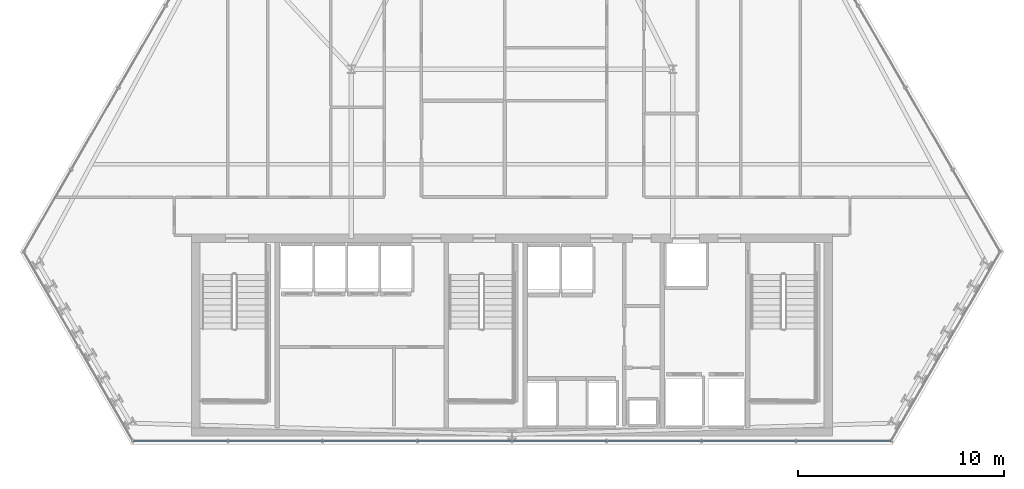
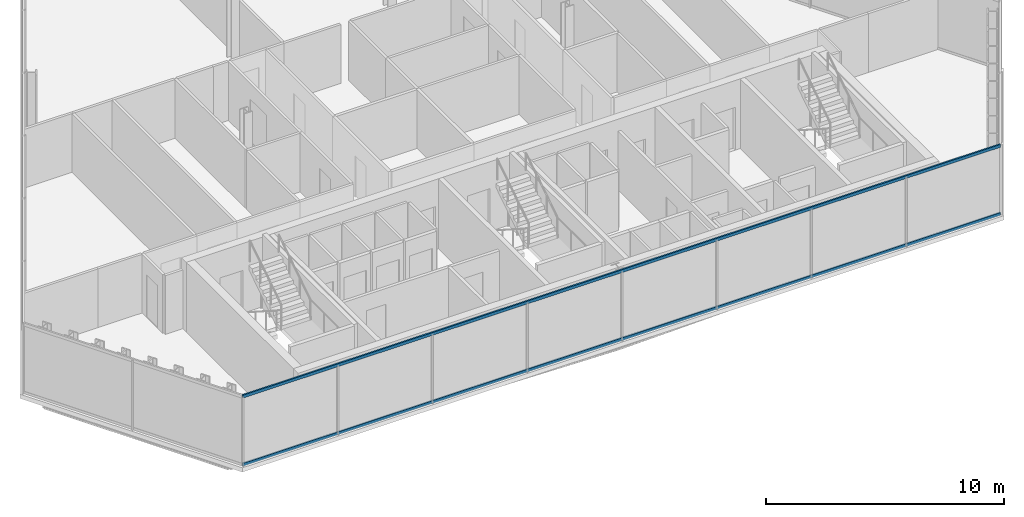
# One storey, part 8 of 33: 2 members, 1 element without a shape of its own.
"""IFC4 building model written with IfcOpenShell, lengths in metres."""

from ifc_helpers import new_model, si_unit, direction, frame, origin, origin_2d, place, context, subcontext, project, spatial, hollow_rectangle, extrude, material, layer, layer_set, material_profile, profile_set, type_object, element, aggregate, save


model = new_model("IFC4")

# Units and contexts
model_context = context("Model", 3, precision=1e-05, world=origin(), true_north=direction((0.0, 1.0)))
body_context = subcontext(model_context, "Body", "Model", "MODEL_VIEW")
ifc_project = project(units=[si_unit("LENGTHUNIT", "METRE"), si_unit("AREAUNIT", "SQUARE_METRE"), si_unit("VOLUMEUNIT", "CUBIC_METRE"), si_unit("PLANEANGLEUNIT", "RADIAN"), si_unit("MASSUNIT", "GRAM", prefix="KILO")], contexts=[model_context])

# Site, building, storey
site_placement = place(None, origin())
site = spatial("IfcSite", under=ifc_project, at=site_placement, CompositionType="ELEMENT")
building_placement = place(site_placement, origin())
building = spatial("IfcBuilding", under=site, at=building_placement, Name="Ndaravel Arena Tower", CompositionType="ELEMENT")
storey_placement = place(building_placement, frame((0.0, 0.0, 165.0)))
storey = spatial("IfcBuildingStorey", under=building, at=storey_placement, Name="L39", CompositionType="ELEMENT", Elevation=165.0)

# Curtain wall, members
ifc_material_1 = material(Name="Aluminium", Category="aluminium")
ifc_layer = layer(ifc_material_1, 0.179931640625)
ifc_layer_set = layer_set([ifc_layer], Name="Aluminium")
curtain_wall_type = type_object("IfcCurtainWallType", Name="CW-SYS-03", PredefinedType="NOTDEFINED", material=ifc_layer_set)
curtain_wall_placement = place(storey_placement, origin())
curtain_wall = element("IfcCurtainWall", 1, at=curtain_wall_placement, inside=storey, type_object=curtain_wall_type, Name="L39 Faceted Crystal Curtain Wall CW-L39-E01", PredefinedType="NOTDEFINED")
ifc_material_2 = material(Name="Aluminium", Category="aluminium")
ifc_material_profile = material_profile(ifc_material_2, hollow_rectangle(XDim=0.074951171875, YDim=0.14990234375, WallThickness=0.00390625, at=origin_2d()), Name="CW TRANSOM 75x150x4")
ifc_profile_set = profile_set([ifc_material_profile], Name="Aluminium")
member_type = type_object("IfcMemberType", Name="MEM-CW-TRN150", PredefinedType="USERDEFINED", material=ifc_profile_set)
member_1_placement = place(storey_placement, frame((23.609619140625, 5.159912109375, 0.0400390625), z_axis=(1.0, 0.0, 0.0), x_axis=(0.0, 1.0, 0.0)))
member_1 = element("IfcMember", 2, at=member_1_placement, type_object=member_type, Name="CW-L39-E01 Transom 01", ObjectType="TRANSOM", PredefinedType="USERDEFINED", context=body_context, shape_type="SweptSolid", body=[
    extrude(hollow_rectangle(XDim=0.074951171875, YDim=0.14990234375, WallThickness=0.00390625, at=origin_2d()), origin(), (0.0, 0.0, 1.0), 36.78076171875),
])
member_2_placement = place(storey_placement, frame((23.609619140625, 5.159912109375, 3.5400390625), z_axis=(1.0, 0.0, 0.0), x_axis=(0.0, 1.0, 0.0)))
member_2 = element("IfcMember", 3, at=member_2_placement, type_object=member_type, Name="CW-L39-E01 Transom 02", ObjectType="TRANSOM", PredefinedType="USERDEFINED", context=body_context, shape_type="SweptSolid", body=[
    extrude(hollow_rectangle(XDim=0.074951171875, YDim=0.14990234375, WallThickness=0.00390625, at=origin_2d()), origin(), (0.0, 0.0, 1.0), 36.78076171875),
])
aggregate(curtain_wall, [member_1, member_2])

save(model, "model.ifc")
